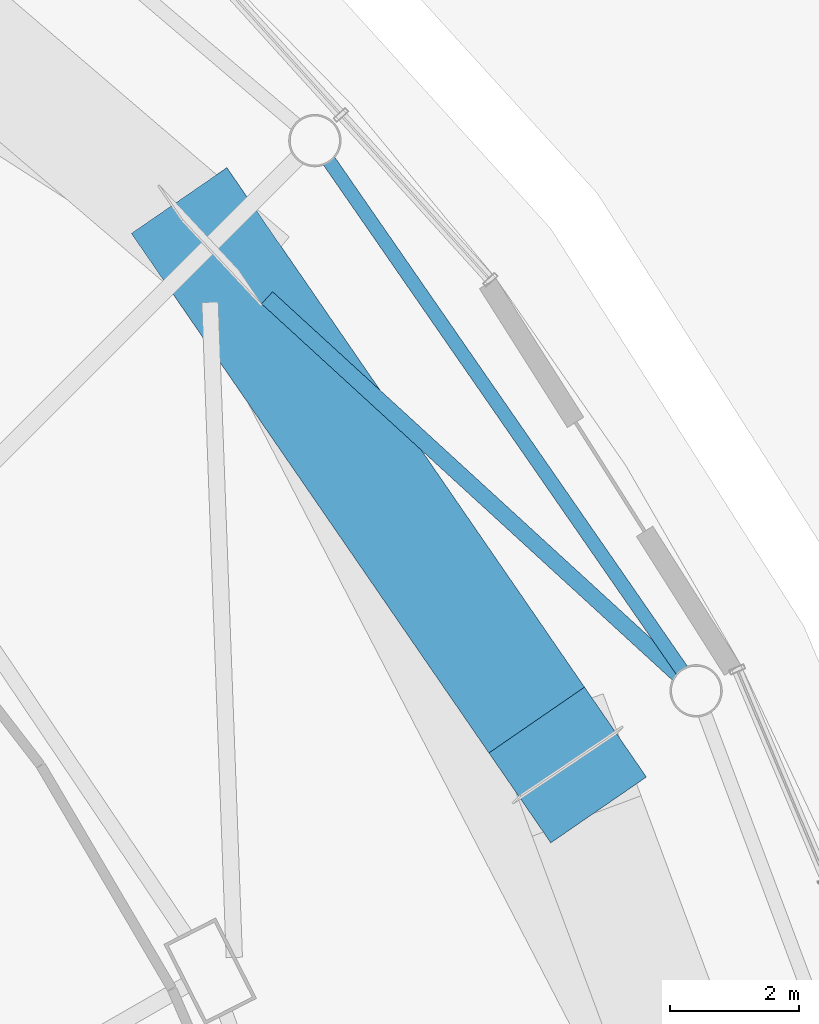
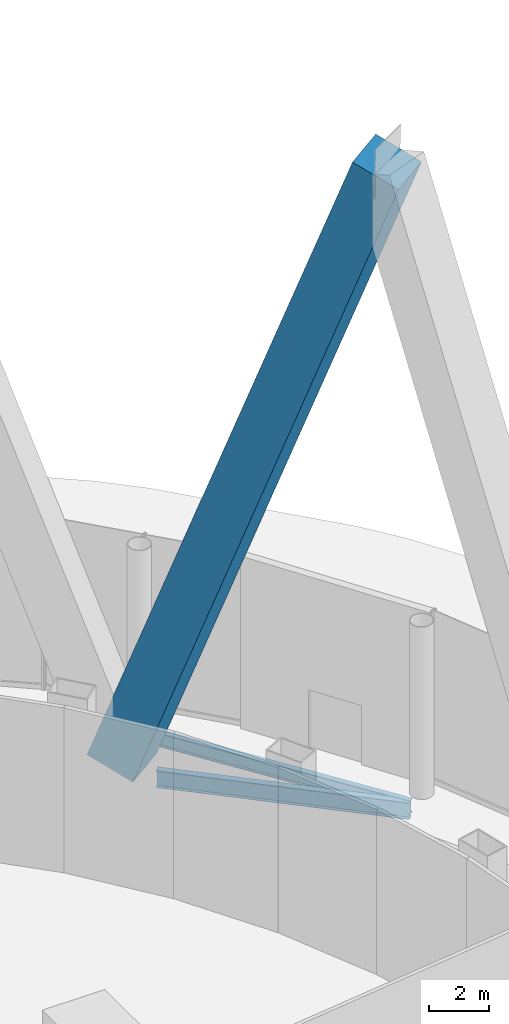
# One storey, part 54 of 67: 2 beams, 1 member.
"""IFC4 building model written with IfcOpenShell, lengths in metres."""

from ifc_helpers import new_model, si_unit, direction, frame, origin, origin_2d, place, context, subcontext, project, spatial, rectangle, i_section, extrude, material, material_profile, profile_set, type_object, element, save


model = new_model("IFC4")

# Units and contexts
model_context = context("Model", 3, precision=1e-05, world=origin(), true_north=direction((0.0, 1.0)))
body_context = subcontext(model_context, "Body", "Model", "MODEL_VIEW")
ifc_project = project(units=[si_unit("LENGTHUNIT", "METRE"), si_unit("AREAUNIT", "SQUARE_METRE"), si_unit("VOLUMEUNIT", "CUBIC_METRE"), si_unit("PLANEANGLEUNIT", "RADIAN"), si_unit("MASSUNIT", "GRAM", prefix="KILO")], contexts=[model_context])

# Site, building, storey
site_placement = place(None, origin())
site = spatial("IfcSite", under=ifc_project, at=site_placement, CompositionType="ELEMENT")
building_placement = place(site_placement, origin())
building = spatial("IfcBuilding", under=site, at=building_placement, Name="Nagisa Residences", CompositionType="ELEMENT")
storey_placement = place(building_placement, origin())
storey = spatial("IfcBuildingStorey", under=building, at=storey_placement, Name="L00", CompositionType="ELEMENT", Elevation=0.0)

# Beams
ifc_material_1 = material(Name="Steel ASTM A572 Gr 50", Category="steel")
ifc_material_profile_1 = material_profile(ifc_material_1, i_section(OverallWidth=0.2529296875, OverallDepth=0.677978515625, WebThickness=0.01171875, FlangeThickness=0.016357421875, at=origin_2d()), Name="W690x125")
ifc_profile_set_1 = profile_set([ifc_material_profile_1], Name="Steel ASTM A572 Gr 50")
beam_type_1 = type_object("IfcBeamType", Name="Atrium outer beam W690x125", PredefinedType="BEAM", material=ifc_profile_set_1)
beam_1_placement = place(storey_placement, frame((29.163330078125, 26.6953125, -0.739013671875), z_axis=(0.737328953927, -0.675533873097, 0.0), x_axis=(0.675533873097, 0.737328953927, 0.0)))
element("IfcBeam", 1, at=beam_1_placement, inside=storey, type_object=beam_type_1, Name="beam:L00:er03b", PredefinedType="BEAM", context=body_context, shape_type="SweptSolid", body=[
    extrude(i_section(OverallWidth=0.2529296875, OverallDepth=0.677978515625, WebThickness=0.01171875, FlangeThickness=0.016357421875, at=origin_2d()), origin(), (0.0, 0.0, 1.0), 8.636474609375),
])
ifc_material_2 = material(Name="Steel ASTM A572 Gr 50", Category="steel")
ifc_material_profile_2 = material_profile(ifc_material_2, i_section(OverallWidth=0.214111328125, OverallDepth=0.549072265625, WebThickness=0.0146484375, FlangeThickness=0.023681640625, at=origin_2d()), Name="W530x138")
ifc_profile_set_2 = profile_set([ifc_material_profile_2], Name="Steel ASTM A572 Gr 50")
beam_type_2 = type_object("IfcBeamType", Name="Atrium ring beam W530x138", PredefinedType="BEAM", material=ifc_profile_set_2)
beam_2_placement = place(storey_placement, frame((35.595947265625, 20.917724609375, -0.674560546875), z_axis=(-0.569488756983, 0.821999121453, 0.0), x_axis=(-0.821999121453, -0.569488756983, 0.0)))
element("IfcBeam", 2, at=beam_2_placement, inside=storey, type_object=beam_type_2, Name="beam:L00:ab03", PredefinedType="BEAM", context=body_context, shape_type="SweptSolid", body=[
    extrude(i_section(OverallWidth=0.214111328125, OverallDepth=0.549072265625, WebThickness=0.0146484375, FlangeThickness=0.023681640625, at=origin_2d()), origin(), (0.0, 0.0, 1.0), 9.607666015625),
])

# Member
ifc_material_3 = material(Name="Concrete C80", Category="concrete")
ifc_material_profile_3 = material_profile(ifc_material_3, rectangle(XDim=1.800048828125, YDim=1.800048828125, at=origin_2d()), Name="C80 1800x1800")
ifc_profile_set_3 = profile_set([ifc_material_profile_3], Name="Concrete C80")
member_type = type_object("IfcMemberType", Name="Cage diagonal 1 C80 1800x1800", PredefinedType="BRACE", material=ifc_profile_set_3)
member_placement = place(storey_placement, frame((28.278076171875, 27.50634765625, 0.0), z_axis=(0.193131089396, -0.280544650217, 0.940210126271), x_axis=(0.823689993177, 0.567040382284, 0.0)))
element("IfcMember", 3, at=member_placement, inside=storey, type_object=member_type, Name="mem:L00:cg1d003", PredefinedType="BRACE", context=body_context, shape_type="SweptSolid", body=[
    extrude(rectangle(XDim=1.800048828125, YDim=1.800048828125, at=origin_2d()), origin(), (0.0, 0.0, 1.0), 28.717041015625),
])

save(model, "model.ifc")
